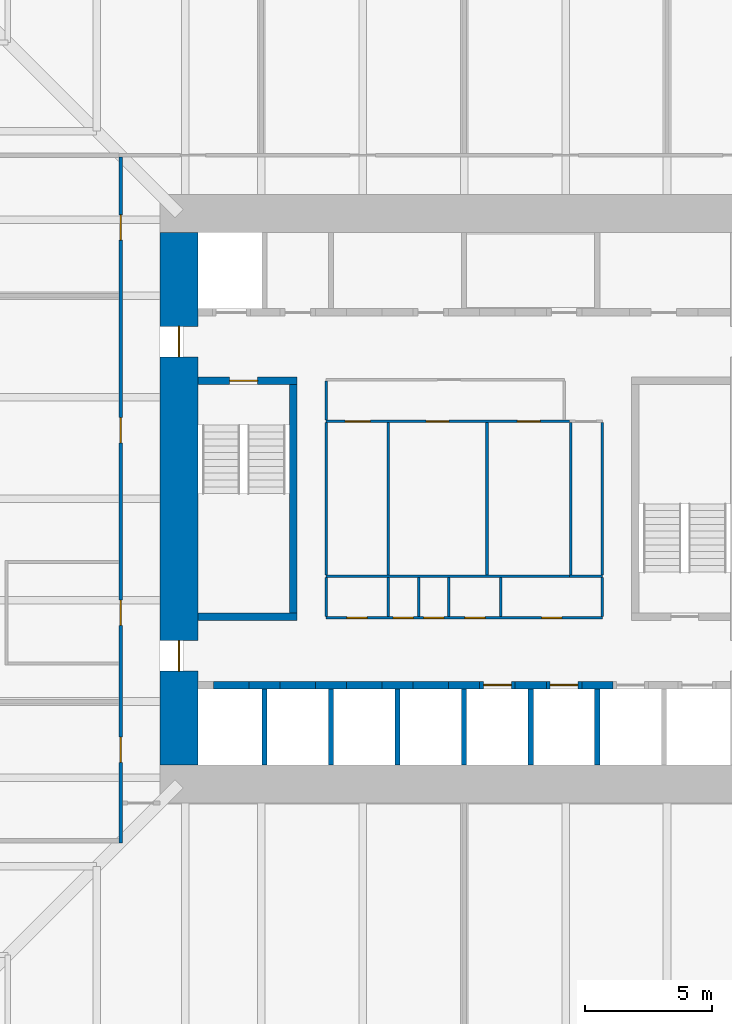
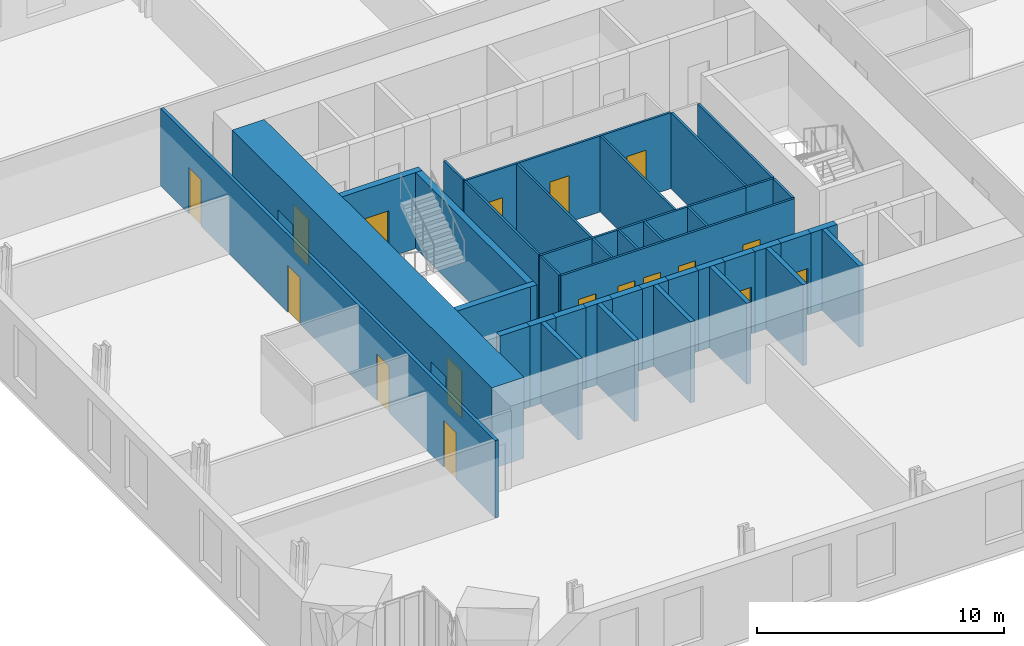
# One storey, part 14 of 18: 39 walls, 17 doors, 17 openings.
"""IFC4 building model written with IfcOpenShell, lengths in metres."""

from ifc_helpers import new_model, si_unit, direction, frame, frame_2d, origin, place, context, subcontext, project, spatial, rectangle, extrude, material, layer, layer_set, type_object, element, fill, save


model = new_model("IFC4")

# Units and contexts
model_context = context("Model", 3, precision=1e-05, world=origin(), true_north=direction((0.0, 1.0)))
body_context = subcontext(model_context, "Body", "Model", "MODEL_VIEW")
ifc_project = project(units=[si_unit("LENGTHUNIT", "METRE"), si_unit("AREAUNIT", "SQUARE_METRE"), si_unit("VOLUMEUNIT", "CUBIC_METRE"), si_unit("PLANEANGLEUNIT", "RADIAN"), si_unit("MASSUNIT", "GRAM", prefix="KILO")], contexts=[model_context])

# Site, building, storey
site_placement = place(None, origin())
site = spatial("IfcSite", under=ifc_project, at=site_placement, CompositionType="ELEMENT")
building_placement = place(site_placement, origin())
building = spatial("IfcBuilding", under=site, at=building_placement, Name="Peilmerk Tower", CompositionType="ELEMENT")
storey_placement = place(building_placement, frame((0.0, 0.0, 163.800048828125)))
storey = spatial("IfcBuildingStorey", under=building, at=storey_placement, Name="L34", CompositionType="ELEMENT", Elevation=163.800048828125)

# Wall, openings, doors
ifc_material_1 = material(Name="Calcium silicate block", Category="masonry")
ifc_layer_1 = layer(ifc_material_1, 0.14990234375)
ifc_layer_set_1 = layer_set([ifc_layer_1], Name="Calcium silicate block")
wall_type_1 = type_object("IfcWallType", Name="IW1 150 corridor partition, EI 60", PredefinedType="PARTITIONING", material=ifc_layer_set_1)
wall_1_placement = place(storey_placement, frame((-13.550048828125, 13.47509765625, 0.0), z_axis=(0.0, 0.0, 1.0), x_axis=(0.0, -1.0, 0.0)))
wall_1 = element("IfcWall", 1, at=wall_1_placement, inside=storey, type_object=wall_type_1, Name="Corridor wall W L34", PredefinedType="PARTITIONING", context=body_context, shape_type="SweptSolid", body=[
    extrude(rectangle(XDim=27.050048828125, YDim=0.14990234375, at=frame_2d((13.52490234375, 0.0))), origin(), (0.0, 0.0, 1.0), 3.829833984375),
])
opening_1_placement = place(wall_1_placement, frame((22.875, 0.0, 0.0)))
opening_1 = element("IfcOpeningElement", 2, at=opening_1_placement, cuts=wall_1, Name="Opening D1", PredefinedType="OPENING", context=body_context, shape_type="SweptSolid", body=[
    extrude(rectangle(XDim=1.0, YDim=2.300048828125, at=frame_2d((0.5, 1.14990234375))), frame((0.0, 0.0849609375, 0.0), z_axis=(0.0, -1.0, 0.0), x_axis=(1.0, 0.0, 0.0)), (0.0, 0.0, 1.0), 0.169921875),
])
opening_2_placement = place(wall_1_placement, frame((10.27490234375, 0.0, 0.0)))
opening_2 = element("IfcOpeningElement", 3, at=opening_2_placement, cuts=wall_1, Name="Opening D1", PredefinedType="OPENING", context=body_context, shape_type="SweptSolid", body=[
    extrude(rectangle(XDim=1.0, YDim=2.300048828125, at=frame_2d((0.5, 1.14990234375))), frame((0.0, 0.0849609375, 0.0), z_axis=(0.0, -1.0, 0.0), x_axis=(1.0, 0.0, 0.0)), (0.0, 0.0, 1.0), 0.169921875),
])
opening_3_placement = place(wall_1_placement, frame((2.27490234375, 0.0, 0.0)))
opening_3 = element("IfcOpeningElement", 4, at=opening_3_placement, cuts=wall_1, Name="Opening D1", PredefinedType="OPENING", context=body_context, shape_type="SweptSolid", body=[
    extrude(rectangle(XDim=1.0, YDim=2.300048828125, at=frame_2d((0.5, 1.14990234375))), frame((0.0, 0.0849609375, 0.0), z_axis=(0.0, -1.0, 0.0), x_axis=(1.0, 0.0, 0.0)), (0.0, 0.0, 1.0), 0.169921875),
])
opening_4_placement = place(wall_1_placement, frame((17.47509765625, 0.0, 0.0)))
opening_4 = element("IfcOpeningElement", 5, at=opening_4_placement, cuts=wall_1, Name="Opening D1", PredefinedType="OPENING", context=body_context, shape_type="SweptSolid", body=[
    extrude(rectangle(XDim=1.0, YDim=2.300048828125, at=frame_2d((0.5, 1.14990234375))), frame((0.0, 0.0849609375, 0.0), z_axis=(0.0, -1.0, 0.0), x_axis=(1.0, 0.0, 0.0)), (0.0, 0.0, 1.0), 0.169921875),
])
ifc_material_2 = material(Name="Timber door in steel frame", Category="steel")
door_type_1 = type_object("IfcDoorType", Name="D1 1000x2300 room door, EI2 30", OperationType="SINGLE_SWING_LEFT", PredefinedType="DOOR", material=ifc_material_2)
door_1_placement = place(opening_1_placement, frame((1.0, 0.0, 0.0), z_axis=(0.0, 0.0, 1.0), x_axis=(-1.0, 0.0, 0.0)))
door_1 = element("IfcDoor", 6, at=door_1_placement, inside=storey, type_object=door_type_1, Name="Door Office L34", OperationType="SINGLE_SWING_LEFT", OverallHeight=2.300048828125, OverallWidth=1.0, PredefinedType="DOOR", context=body_context, shape_type="SweptSolid", body=[
    extrude(rectangle(XDim=1.0, YDim=2.300048828125, at=frame_2d((0.5, 1.14990234375))), frame((0.0, 0.02490234375, 0.0), z_axis=(0.0, -1.0, 0.0), x_axis=(1.0, 0.0, 0.0)), (0.0, 0.0, 1.0), 0.050048828125),
])
fill(opening_1, door_1)
door_2_placement = place(opening_2_placement, frame((1.0, 0.0, 0.0), z_axis=(0.0, 0.0, 1.0), x_axis=(-1.0, 0.0, 0.0)))
door_2 = element("IfcDoor", 7, at=door_2_placement, inside=storey, type_object=door_type_1, Name="Door Office L34", OperationType="SINGLE_SWING_LEFT", OverallHeight=2.300048828125, OverallWidth=1.0, PredefinedType="DOOR", context=body_context, shape_type="SweptSolid", body=[
    extrude(rectangle(XDim=1.0, YDim=2.300048828125, at=frame_2d((0.5, 1.14990234375))), frame((0.0, 0.02490234375, 0.0), z_axis=(0.0, -1.0, 0.0), x_axis=(1.0, 0.0, 0.0)), (0.0, 0.0, 1.0), 0.050048828125),
])
fill(opening_2, door_2)
door_3_placement = place(opening_3_placement, frame((1.0, 0.0, 0.0), z_axis=(0.0, 0.0, 1.0), x_axis=(-1.0, 0.0, 0.0)))
door_3 = element("IfcDoor", 8, at=door_3_placement, inside=storey, type_object=door_type_1, Name="Door Office L34", OperationType="SINGLE_SWING_LEFT", OverallHeight=2.300048828125, OverallWidth=1.0, PredefinedType="DOOR", context=body_context, shape_type="SweptSolid", body=[
    extrude(rectangle(XDim=1.0, YDim=2.300048828125, at=frame_2d((0.5, 1.14990234375))), frame((0.0, 0.02490234375, 0.0), z_axis=(0.0, -1.0, 0.0), x_axis=(1.0, 0.0, 0.0)), (0.0, 0.0, 1.0), 0.050048828125),
])
fill(opening_3, door_3)
door_4_placement = place(opening_4_placement, frame((1.0, 0.0, 0.0), z_axis=(0.0, 0.0, 1.0), x_axis=(-1.0, 0.0, 0.0)))
door_4 = element("IfcDoor", 9, at=door_4_placement, inside=storey, type_object=door_type_1, Name="Door Meeting room L34", OperationType="SINGLE_SWING_LEFT", OverallHeight=2.300048828125, OverallWidth=1.0, PredefinedType="DOOR", context=body_context, shape_type="SweptSolid", body=[
    extrude(rectangle(XDim=1.0, YDim=2.300048828125, at=frame_2d((0.5, 1.14990234375))), frame((0.0, 0.02490234375, 0.0), z_axis=(0.0, -1.0, 0.0), x_axis=(1.0, 0.0, 0.0)), (0.0, 0.0, 1.0), 0.050048828125),
])
fill(opening_4, door_4)

# Wall
ifc_material_3 = material(Name="Concrete C35/45", Category="concrete")
ifc_layer_2 = layer(ifc_material_3, 0.300048828125)
ifc_layer_set_2 = layer_set([ifc_layer_2], Name="Concrete C35/45")
wall_type_2 = type_object("IfcWallType", Name="IW3 300 concrete stair enclosure wall, EI 120", PredefinedType="SOLIDWALL", material=ifc_layer_set_2)
wall_2_placement = place(storey_placement, frame((-6.75, -4.800048828125, 0.0), z_axis=(0.0, 0.0, 1.0), x_axis=(0.0, 1.0, 0.0)))
element("IfcWall", 10, at=wall_2_placement, inside=storey, type_object=wall_type_2, Name="Stair 1 enclosure L34", PredefinedType="SOLIDWALL", context=body_context, shape_type="SweptSolid", body=[
    extrude(rectangle(XDim=9.60009765625, YDim=0.300048828125, at=frame_2d((4.800048828125, 0.0))), origin(), (0.0, 0.0, 1.0), 3.75),
])

# Wall, opening, door
wall_3_placement = place(storey_placement, frame((-10.5, 4.64990234375, 0.0), z_axis=(0.0, 0.0, 1.0), x_axis=(1.0, 0.0, 0.0)))
wall_3 = element("IfcWall", 11, at=wall_3_placement, inside=storey, type_object=wall_type_2, Name="Stair 1 enclosure L34", PredefinedType="SOLIDWALL", context=body_context, shape_type="SweptSolid", body=[
    extrude(rectangle(XDim=3.89990234375, YDim=0.300048828125, at=frame_2d((1.949951171875, 0.0))), origin(), (0.0, 0.0, 1.0), 3.75),
])
opening_5_placement = place(wall_3_placement, frame((1.25, 0.0, 0.0)))
opening_5 = element("IfcOpeningElement", 12, at=opening_5_placement, cuts=wall_3, Name="Opening D4", PredefinedType="OPENING", context=body_context, shape_type="SweptSolid", body=[
    extrude(rectangle(XDim=1.10009765625, YDim=2.300048828125, at=frame_2d((0.550048828125, 1.14990234375))), frame((0.0, 0.159912109375, 0.0), z_axis=(0.0, -1.0, 0.0), x_axis=(1.0, 0.0, 0.0)), (0.0, 0.0, 1.0), 0.320068359375),
])
ifc_material_4 = material(Name="Steel door in steel frame", Category="steel")
door_type_2 = type_object("IfcDoorType", Name="D4 1100x2300 stair door, EI2 60", OperationType="SINGLE_SWING_RIGHT", PredefinedType="DOOR", material=ifc_material_4)
door_5_placement = place(opening_5_placement, frame((1.10009765625, 0.0, 0.0), z_axis=(0.0, 0.0, 1.0), x_axis=(-1.0, 0.0, 0.0)))
door_5 = element("IfcDoor", 13, at=door_5_placement, inside=storey, type_object=door_type_2, Name="Stair 1 door L34", OperationType="SINGLE_SWING_RIGHT", OverallHeight=2.300048828125, OverallWidth=1.10009765625, PredefinedType="DOOR", context=body_context, shape_type="SweptSolid", body=[
    extrude(rectangle(XDim=1.10009765625, YDim=2.300048828125, at=frame_2d((0.550048828125, 1.14990234375))), frame((0.0, 0.02490234375, 0.0), z_axis=(0.0, -1.0, 0.0), x_axis=(1.0, 0.0, 0.0)), (0.0, 0.0, 1.0), 0.050048828125),
])
fill(opening_5, door_5)

# Wall
wall_4_placement = place(storey_placement, frame((-6.60009765625, -4.64990234375, 0.0), z_axis=(0.0, 0.0, 1.0), x_axis=(-1.0, 0.0, 0.0)))
element("IfcWall", 14, at=wall_4_placement, inside=storey, type_object=wall_type_2, Name="Stair 1 enclosure L34", PredefinedType="SOLIDWALL", context=body_context, shape_type="SweptSolid", body=[
    extrude(rectangle(XDim=3.89990234375, YDim=0.300048828125, at=frame_2d((1.949951171875, 0.0))), origin(), (0.0, 0.0, 1.0), 3.75),
])

# Wall, openings, doors
ifc_material_5 = material(Name="Plasterboard on steel studs", Category="steel")
ifc_layer_3 = layer(ifc_material_5, 0.10009765625)
ifc_layer_set_3 = layer_set([ifc_layer_3], Name="Plasterboard on steel studs")
wall_type_3 = type_object("IfcWallType", Name="IW4 100 WC partition", PredefinedType="PARTITIONING", material=ifc_layer_set_3)
wall_5_placement = place(storey_placement, frame((-5.449951171875, 3.050048828125, 0.0), z_axis=(0.0, 0.0, 1.0), x_axis=(1.0, 0.0, 0.0)))
wall_5 = element("IfcWall", 15, at=wall_5_placement, inside=storey, type_object=wall_type_3, Name="WC wall L34", PredefinedType="PARTITIONING", context=body_context, shape_type="SweptSolid", body=[
    extrude(rectangle(XDim=9.599853515625, YDim=0.10009765625, at=frame_2d((4.7998046875, 0.0))), origin(), (0.0, 0.0, 1.0), 3.75),
])
opening_6_placement = place(wall_5_placement, frame((0.75, 0.0, 0.0)))
opening_6 = element("IfcOpeningElement", 16, at=opening_6_placement, cuts=wall_5, Name="Opening D6", PredefinedType="OPENING", context=body_context, shape_type="SweptSolid", body=[
    extrude(rectangle(XDim=1.0, YDim=2.300048828125, at=frame_2d((0.5, 1.14990234375))), frame((0.0, 0.06005859375, 0.0), z_axis=(0.0, -1.0, 0.0), x_axis=(1.0, 0.0, 0.0)), (0.0, 0.0, 1.0), 0.1201171875),
])
opening_7_placement = place(wall_5_placement, frame((3.949951171875, 0.0, 0.0)))
opening_7 = element("IfcOpeningElement", 17, at=opening_7_placement, cuts=wall_5, Name="Opening D5", PredefinedType="OPENING", context=body_context, shape_type="SweptSolid", body=[
    extrude(rectangle(XDim=0.89990234375, YDim=2.300048828125, at=frame_2d((0.449951171875, 1.14990234375))), frame((0.0, 0.06005859375, 0.0), z_axis=(0.0, -1.0, 0.0), x_axis=(1.0, 0.0, 0.0)), (0.0, 0.0, 1.0), 0.1201171875),
])
opening_8_placement = place(wall_5_placement, frame((7.550048828125, 0.0, 0.0)))
opening_8 = element("IfcOpeningElement", 18, at=opening_8_placement, cuts=wall_5, Name="Opening D5", PredefinedType="OPENING", context=body_context, shape_type="SweptSolid", body=[
    extrude(rectangle(XDim=0.89990234375, YDim=2.300048828125, at=frame_2d((0.449951171875, 1.14990234375))), frame((0.0, 0.06005859375, 0.0), z_axis=(0.0, -1.0, 0.0), x_axis=(1.0, 0.0, 0.0)), (0.0, 0.0, 1.0), 0.1201171875),
])
door_type_3 = type_object("IfcDoorType", Name="D5 900x2300 WC door", OperationType="SINGLE_SWING_LEFT", PredefinedType="DOOR", material=ifc_material_2)
door_6_placement = place(opening_7_placement, frame((0.89990234375, 0.0, 0.0), z_axis=(0.0, 0.0, 1.0), x_axis=(-1.0, 0.0, 0.0)))
door_6 = element("IfcDoor", 19, at=door_6_placement, inside=storey, type_object=door_type_3, Name="Female toilets door L34", OperationType="SINGLE_SWING_LEFT", OverallHeight=2.300048828125, OverallWidth=0.89990234375, PredefinedType="DOOR", context=body_context, shape_type="SweptSolid", body=[
    extrude(rectangle(XDim=0.89990234375, YDim=2.300048828125, at=frame_2d((0.449951171875, 1.14990234375))), frame((0.0, 0.02490234375, 0.0), z_axis=(0.0, -1.0, 0.0), x_axis=(1.0, 0.0, 0.0)), (0.0, 0.0, 1.0), 0.050048828125),
])
fill(opening_7, door_6)
door_7_placement = place(opening_8_placement, frame((0.89990234375, 0.0, 0.0), z_axis=(0.0, 0.0, 1.0), x_axis=(-1.0, 0.0, 0.0)))
door_7 = element("IfcDoor", 20, at=door_7_placement, inside=storey, type_object=door_type_3, Name="Male toilets door L34", OperationType="SINGLE_SWING_LEFT", OverallHeight=2.300048828125, OverallWidth=0.89990234375, PredefinedType="DOOR", context=body_context, shape_type="SweptSolid", body=[
    extrude(rectangle(XDim=0.89990234375, YDim=2.300048828125, at=frame_2d((0.449951171875, 1.14990234375))), frame((0.0, 0.02490234375, 0.0), z_axis=(0.0, -1.0, 0.0), x_axis=(1.0, 0.0, 0.0)), (0.0, 0.0, 1.0), 0.050048828125),
])
fill(opening_8, door_7)
door_type_4 = type_object("IfcDoorType", Name="D6 1000x2300 accessible WC door", OperationType="SLIDING_TO_LEFT", PredefinedType="DOOR", material=ifc_material_2)
door_8_placement = place(opening_6_placement, frame((1.0, 0.0, 0.0), z_axis=(0.0, 0.0, 1.0), x_axis=(-1.0, 0.0, 0.0)))
door_8 = element("IfcDoor", 21, at=door_8_placement, inside=storey, type_object=door_type_4, Name="Accessible WC door L34", OperationType="SLIDING_TO_LEFT", OverallHeight=2.300048828125, OverallWidth=1.0, PredefinedType="DOOR", context=body_context, shape_type="SweptSolid", body=[
    extrude(rectangle(XDim=1.0, YDim=2.300048828125, at=frame_2d((0.5, 1.14990234375))), frame((0.0, 0.02490234375, 0.0), z_axis=(0.0, -1.0, 0.0), x_axis=(1.0, 0.0, 0.0)), (0.0, 0.0, 1.0), 0.050048828125),
])
fill(opening_6, door_8)

# Walls
wall_6_placement = place(storey_placement, frame((4.14990234375, -3.050048828125, 0.0), z_axis=(0.0, 0.0, 1.0), x_axis=(-1.0, 0.0, 0.0)))
element("IfcWall", 22, at=wall_6_placement, inside=storey, type_object=wall_type_3, Name="WC wall L34", PredefinedType="PARTITIONING", context=body_context, shape_type="SweptSolid", body=[
    extrude(rectangle(XDim=9.599853515625, YDim=0.10009765625, at=frame_2d((4.7998046875, 0.0))), origin(), (0.0, 0.0, 1.0), 3.75),
])
for number, where, z_axis, x_axis, name in (
    (23, (-5.449951171875, -3.0, 0.0), (0.0, 0.0, 1.0), (0.0, 1.0, 0.0), "WC wall L34"),
    (24, (-3.0, -3.0, 0.0), (0.0, 0.0, 1.0), (0.0, 1.0, 0.0), "WC wall L34"),
    (25, (0.89990234375, -3.0, 0.0), (0.0, 0.0, 1.0), (0.0, 1.0, 0.0), "WC wall L34"),
):
    element("IfcWall", number, at=place(storey_placement, frame(where, z_axis=z_axis, x_axis=x_axis)), inside=storey, type_object=wall_type_3, Name=name, PredefinedType="PARTITIONING", context=body_context, shape_type="SweptSolid", body=[
        extrude(rectangle(XDim=6.0, YDim=0.10009765625, at=frame_2d((3.0, 0.0))), origin(), (0.0, 0.0, 1.0), 3.75),
    ])
ifc_material_6 = material(Name="Calcium silicate board on steel studs", Category="steel")
ifc_layer_4 = layer(ifc_material_6, 0.10009765625)
ifc_layer_set_4 = layer_set([ifc_layer_4], Name="Calcium silicate board on steel studs")
wall_type_4 = type_object("IfcWallType", Name="IW5 100 riser enclosure wall, EI 60", PredefinedType="PARTITIONING", material=ifc_layer_set_4)
wall_7_placement = place(storey_placement, frame((5.449951171875, -3.050048828125, 0.0), z_axis=(0.0, 0.0, 1.0), x_axis=(-1.0, 0.0, 0.0)))
element("IfcWall", 26, at=wall_7_placement, inside=storey, type_object=wall_type_4, Name="Riser wall L34", PredefinedType="PARTITIONING", context=body_context, shape_type="SweptSolid", body=[
    extrude(rectangle(XDim=1.300048828125, YDim=0.10009765625, at=frame_2d((0.64990234375, 0.0))), origin(), (0.0, 0.0, 1.0), 3.75),
])
for number, where, z_axis, x_axis, name in (
    (27, (5.449951171875, 3.0, 0.0), (0.0, 0.0, 1.0), (0.0, -1.0, 0.0), "Riser wall L34"),
    (28, (4.199951171875, -3.0, 0.0), (0.0, 0.0, 1.0), (0.0, 1.0, 0.0), "Riser wall L34"),
):
    element("IfcWall", number, at=place(storey_placement, frame(where, z_axis=z_axis, x_axis=x_axis)), inside=storey, type_object=wall_type_4, Name=name, PredefinedType="PARTITIONING", context=body_context, shape_type="SweptSolid", body=[
        extrude(rectangle(XDim=6.0, YDim=0.10009765625, at=frame_2d((3.0, 0.0))), origin(), (0.0, 0.0, 1.0), 3.75),
    ])

# Wall, openings, doors
wall_8_placement = place(storey_placement, frame((5.449951171875, -4.699951171875, 0.0), z_axis=(0.0, 0.0, 1.0), x_axis=(-1.0, 0.0, 0.0)))
wall_8 = element("IfcWall", 29, at=wall_8_placement, inside=storey, type_object=wall_type_4, Name="Riser wall L34", PredefinedType="PARTITIONING", context=body_context, shape_type="SweptSolid", body=[
    extrude(rectangle(XDim=10.89990234375, YDim=0.10009765625, at=frame_2d((5.449951171875, 0.0))), origin(), (0.0, 0.0, 1.0), 3.75),
])
opening_9_placement = place(wall_8_placement, frame((9.27490234375, 0.0, 0.0)))
opening_9 = element("IfcOpeningElement", 30, at=opening_9_placement, cuts=wall_8, Name="Opening D7", PredefinedType="OPENING", context=body_context, shape_type="SweptSolid", body=[
    extrude(rectangle(XDim=0.800048828125, YDim=2.300048828125, at=frame_2d((0.39990234375, 1.14990234375))), frame((0.0, 0.06005859375, 0.0), z_axis=(0.0, -1.0, 0.0), x_axis=(1.0, 0.0, 0.0)), (0.0, 0.0, 1.0), 0.1201171875),
])
opening_10_placement = place(wall_8_placement, frame((7.449951171875, 0.0, 0.0)))
opening_10 = element("IfcOpeningElement", 31, at=opening_10_placement, cuts=wall_8, Name="Opening D7", PredefinedType="OPENING", context=body_context, shape_type="SweptSolid", body=[
    extrude(rectangle(XDim=0.800048828125, YDim=2.300048828125, at=frame_2d((0.39990234375, 1.14990234375))), frame((0.0, 0.06005859375, 0.0), z_axis=(0.0, -1.0, 0.0), x_axis=(1.0, 0.0, 0.0)), (0.0, 0.0, 1.0), 0.1201171875),
])
opening_11_placement = place(wall_8_placement, frame((6.25, 0.0, 0.0)))
opening_11 = element("IfcOpeningElement", 32, at=opening_11_placement, cuts=wall_8, Name="Opening D7", PredefinedType="OPENING", context=body_context, shape_type="SweptSolid", body=[
    extrude(rectangle(XDim=0.800048828125, YDim=2.300048828125, at=frame_2d((0.39990234375, 1.14990234375))), frame((0.0, 0.06005859375, 0.0), z_axis=(0.0, -1.0, 0.0), x_axis=(1.0, 0.0, 0.0)), (0.0, 0.0, 1.0), 0.1201171875),
])
opening_12_placement = place(wall_8_placement, frame((4.625, 0.0, 0.0)))
opening_12 = element("IfcOpeningElement", 33, at=opening_12_placement, cuts=wall_8, Name="Opening D7", PredefinedType="OPENING", context=body_context, shape_type="SweptSolid", body=[
    extrude(rectangle(XDim=0.800048828125, YDim=2.300048828125, at=frame_2d((0.39990234375, 1.14990234375))), frame((0.0, 0.06005859375, 0.0), z_axis=(0.0, -1.0, 0.0), x_axis=(1.0, 0.0, 0.0)), (0.0, 0.0, 1.0), 0.1201171875),
])
opening_13_placement = place(wall_8_placement, frame((1.60009765625, 0.0, 0.0)))
opening_13 = element("IfcOpeningElement", 34, at=opening_13_placement, cuts=wall_8, Name="Opening D7", PredefinedType="OPENING", context=body_context, shape_type="SweptSolid", body=[
    extrude(rectangle(XDim=0.800048828125, YDim=2.300048828125, at=frame_2d((0.39990234375, 1.14990234375))), frame((0.0, 0.06005859375, 0.0), z_axis=(0.0, -1.0, 0.0), x_axis=(1.0, 0.0, 0.0)), (0.0, 0.0, 1.0), 0.1201171875),
])
door_type_5 = type_object("IfcDoorType", Name="D7 800x2300 riser access door, EI2 60", OperationType="SINGLE_SWING_RIGHT", PredefinedType="DOOR", material=ifc_material_4)
door_9_placement = place(opening_9_placement, frame((0.800048828125, 0.0, 0.0), z_axis=(0.0, 0.0, 1.0), x_axis=(-1.0, 0.0, 0.0)))
door_9 = element("IfcDoor", 35, at=door_9_placement, inside=storey, type_object=door_type_5, Name="Cleaner's cupboard door L34", OperationType="SINGLE_SWING_RIGHT", OverallHeight=2.300048828125, OverallWidth=0.800048828125, PredefinedType="DOOR", context=body_context, shape_type="SweptSolid", body=[
    extrude(rectangle(XDim=0.800048828125, YDim=2.300048828125, at=frame_2d((0.39990234375, 1.14990234375))), frame((0.0, 0.02490234375, 0.0), z_axis=(0.0, -1.0, 0.0), x_axis=(1.0, 0.0, 0.0)), (0.0, 0.0, 1.0), 0.050048828125),
])
fill(opening_9, door_9)
door_10_placement = place(opening_10_placement, frame((0.800048828125, 0.0, 0.0), z_axis=(0.0, 0.0, 1.0), x_axis=(-1.0, 0.0, 0.0)))
door_10 = element("IfcDoor", 36, at=door_10_placement, inside=storey, type_object=door_type_5, Name="Electrical riser door L34", OperationType="SINGLE_SWING_RIGHT", OverallHeight=2.300048828125, OverallWidth=0.800048828125, PredefinedType="DOOR", context=body_context, shape_type="SweptSolid", body=[
    extrude(rectangle(XDim=0.800048828125, YDim=2.300048828125, at=frame_2d((0.39990234375, 1.14990234375))), frame((0.0, 0.02490234375, 0.0), z_axis=(0.0, -1.0, 0.0), x_axis=(1.0, 0.0, 0.0)), (0.0, 0.0, 1.0), 0.050048828125),
])
fill(opening_10, door_10)
door_11_placement = place(opening_11_placement, frame((0.800048828125, 0.0, 0.0), z_axis=(0.0, 0.0, 1.0), x_axis=(-1.0, 0.0, 0.0)))
door_11 = element("IfcDoor", 37, at=door_11_placement, inside=storey, type_object=door_type_5, Name="Data riser door L34", OperationType="SINGLE_SWING_RIGHT", OverallHeight=2.300048828125, OverallWidth=0.800048828125, PredefinedType="DOOR", context=body_context, shape_type="SweptSolid", body=[
    extrude(rectangle(XDim=0.800048828125, YDim=2.300048828125, at=frame_2d((0.39990234375, 1.14990234375))), frame((0.0, 0.02490234375, 0.0), z_axis=(0.0, -1.0, 0.0), x_axis=(1.0, 0.0, 0.0)), (0.0, 0.0, 1.0), 0.050048828125),
])
fill(opening_11, door_11)
door_12_placement = place(opening_12_placement, frame((0.800048828125, 0.0, 0.0), z_axis=(0.0, 0.0, 1.0), x_axis=(-1.0, 0.0, 0.0)))
door_12 = element("IfcDoor", 38, at=door_12_placement, inside=storey, type_object=door_type_5, Name="Electrical room door L34", OperationType="SINGLE_SWING_RIGHT", OverallHeight=2.300048828125, OverallWidth=0.800048828125, PredefinedType="DOOR", context=body_context, shape_type="SweptSolid", body=[
    extrude(rectangle(XDim=0.800048828125, YDim=2.300048828125, at=frame_2d((0.39990234375, 1.14990234375))), frame((0.0, 0.02490234375, 0.0), z_axis=(0.0, -1.0, 0.0), x_axis=(1.0, 0.0, 0.0)), (0.0, 0.0, 1.0), 0.050048828125),
])
fill(opening_12, door_12)
door_13_placement = place(opening_13_placement, frame((0.800048828125, 0.0, 0.0), z_axis=(0.0, 0.0, 1.0), x_axis=(-1.0, 0.0, 0.0)))
door_13 = element("IfcDoor", 39, at=door_13_placement, inside=storey, type_object=door_type_5, Name="Comms room door L34", OperationType="SINGLE_SWING_RIGHT", OverallHeight=2.300048828125, OverallWidth=0.800048828125, PredefinedType="DOOR", context=body_context, shape_type="SweptSolid", body=[
    extrude(rectangle(XDim=0.800048828125, YDim=2.300048828125, at=frame_2d((0.39990234375, 1.14990234375))), frame((0.0, 0.02490234375, 0.0), z_axis=(0.0, -1.0, 0.0), x_axis=(1.0, 0.0, 0.0)), (0.0, 0.0, 1.0), 0.050048828125),
])
fill(opening_13, door_13)

# Walls
for number, where, z_axis, x_axis, name in (
    (40, (-5.449951171875, -3.10009765625, 0.0), (0.0, 0.0, 1.0), (0.0, -1.0, 0.0), "Riser wall L34"),
    (41, (5.449951171875, -3.10009765625, 0.0), (0.0, 0.0, 1.0), (0.0, -1.0, 0.0), "Riser wall L34"),
    (42, (-3.0, -3.10009765625, 0.0), (0.0, 0.0, 1.0), (0.0, -1.0, 0.0), "Riser wall L34"),
    (43, (-1.800048828125, -3.10009765625, 0.0), (0.0, 0.0, 1.0), (0.0, -1.0, 0.0), "Riser wall L34"),
    (44, (-0.60009765625, -3.10009765625, 0.0), (0.0, 0.0, 1.0), (0.0, -1.0, 0.0), "Riser wall L34"),
    (45, (1.449951171875, -3.10009765625, 0.0), (0.0, 0.0, 1.0), (0.0, -1.0, 0.0), "Riser wall L34"),
):
    element("IfcWall", number, at=place(storey_placement, frame(where, z_axis=z_axis, x_axis=x_axis)), inside=storey, type_object=wall_type_4, Name=name, PredefinedType="PARTITIONING", context=body_context, shape_type="SweptSolid", body=[
        extrude(rectangle(XDim=1.5498046875, YDim=0.10009765625, at=frame_2d((0.77490234375, 0.0))), origin(), (0.0, 0.0, 1.0), 3.75),
    ])
ifc_material_7 = material(Name="Fire-resisting plasterboard on steel studs", Category="steel")
ifc_layer_5 = layer(ifc_material_7, 0.10009765625)
ifc_layer_set_5 = layer_set([ifc_layer_5], Name="Fire-resisting plasterboard on steel studs")
wall_type_5 = type_object("IfcWallType", Name="IW9 100 WC lobby wall, EI 30", PredefinedType="PARTITIONING", material=ifc_layer_set_5)
wall_9_placement = place(storey_placement, frame((-5.449951171875, 3.10009765625, 0.0), z_axis=(0.0, 0.0, 1.0), x_axis=(0.0, 1.0, 0.0)))
element("IfcWall", 46, at=wall_9_placement, inside=storey, type_object=wall_type_5, Name="WC lobby wall L34", PredefinedType="PARTITIONING", context=body_context, shape_type="SweptSolid", body=[
    extrude(rectangle(XDim=1.5498046875, YDim=0.10009765625, at=frame_2d((0.77490234375, 0.0))), origin(), (0.0, 0.0, 1.0), 3.75),
])
ifc_layer_6 = layer(ifc_material_1, 0.199951171875)
ifc_layer_set_6 = layer_set([ifc_layer_6], Name="Calcium silicate block")
wall_type_6 = type_object("IfcWallType", Name="SH1 200 shaft dividing wall, EI 120", PredefinedType="PARTITIONING", material=ifc_layer_set_6)
for number, where, z_axis, x_axis, name in (
    (47, (-7.875, -10.5, 0.0), (0.0, 0.0, 1.0), (0.0, 1.0, 0.0), "Shaft wall S C4 L34"),
    (48, (-5.25, -10.5, 0.0), (0.0, 0.0, 1.0), (0.0, 1.0, 0.0), "Shaft wall S C3 L34"),
    (49, (-2.625, -10.5, 0.0), (0.0, 0.0, 1.0), (0.0, 1.0, 0.0), "Shaft wall S C2 L34"),
    (50, (0.0, -10.5, 0.0), (0.0, 0.0, 1.0), (0.0, 1.0, 0.0), "Shaft wall S C1 L34"),
    (51, (2.625, -10.5, 0.0), (0.0, 0.0, 1.0), (0.0, 1.0, 0.0), "Shaft wall S B3 L34"),
    (52, (5.25, -10.5, 0.0), (0.0, 0.0, 1.0), (0.0, 1.0, 0.0), "Shaft wall S B2 L34"),
):
    element("IfcWall", number, at=place(storey_placement, frame(where, z_axis=z_axis, x_axis=x_axis)), inside=storey, type_object=wall_type_6, Name=name, PredefinedType="PARTITIONING", context=body_context, shape_type="SweptSolid", body=[
        extrude(rectangle(XDim=3.0, YDim=0.199951171875, at=frame_2d((1.5, 0.0))), origin(), (0.0, 0.0, 1.0), 4.0),
    ])
ifc_layer_7 = layer(ifc_material_1, 0.300048828125)
ifc_layer_set_7 = layer_set([ifc_layer_7], Name="Calcium silicate block")
wall_type_7 = type_object("IfcWallType", Name="SH2 300 lift landing door panel, EI 120", PredefinedType="PARTITIONING", material=ifc_layer_set_7)
for number, where, z_axis, x_axis, name in (
    (53, (-9.887451171875, -7.35009765625, 0.0), (0.0, 0.0, 1.0), (1.0, 0.0, 0.0), "Lift door panel S C4 L34"),
    (54, (-7.262451171875, -7.35009765625, 0.0), (0.0, 0.0, 1.0), (1.0, 0.0, 0.0), "Lift door panel S C3 L34"),
    (55, (-4.637451171875, -7.35009765625, 0.0), (0.0, 0.0, 1.0), (1.0, 0.0, 0.0), "Lift door panel S C2 L34"),
    (56, (-2.012451171875, -7.35009765625, 0.0), (0.0, 0.0, 1.0), (1.0, 0.0, 0.0), "Lift door panel S C1 L34"),
):
    element("IfcWall", number, at=place(storey_placement, frame(where, z_axis=z_axis, x_axis=x_axis)), inside=storey, type_object=wall_type_7, Name=name, PredefinedType="PARTITIONING", context=body_context, shape_type="SweptSolid", body=[
        extrude(rectangle(XDim=1.39990234375, YDim=0.300048828125, at=frame_2d((0.699951171875, 0.0))), origin(), (0.0, 0.0, 1.0), 4.0),
    ])

# Wall, opening, door
wall_10_placement = place(storey_placement, frame((0.612548828125, -7.35009765625, 0.0), z_axis=(0.0, 0.0, 1.0), x_axis=(1.0, 0.0, 0.0)))
wall_10 = element("IfcWall", 57, at=wall_10_placement, inside=storey, type_object=wall_type_7, Name="Lift door panel S B3 L34", PredefinedType="PARTITIONING", context=body_context, shape_type="SweptSolid", body=[
    extrude(rectangle(XDim=1.39990234375, YDim=0.300048828125, at=frame_2d((0.699951171875, 0.0))), origin(), (0.0, 0.0, 1.0), 4.0),
])
opening_14_placement = place(wall_10_placement, frame((0.14990234375, 0.0, 0.0)))
opening_14 = element("IfcOpeningElement", 58, at=opening_14_placement, cuts=wall_10, Name="Opening LD1", PredefinedType="OPENING", context=body_context, shape_type="SweptSolid", body=[
    extrude(rectangle(XDim=1.10009765625, YDim=2.300048828125, at=frame_2d((0.550048828125, 1.14990234375))), frame((0.0, 0.159912109375, 0.0), z_axis=(0.0, -1.0, 0.0), x_axis=(1.0, 0.0, 0.0)), (0.0, 0.0, 1.0), 0.320068359375),
])
ifc_material_8 = material(Name="Stainless steel landing door", Category="steel")
door_type_6 = type_object("IfcDoorType", Name="LD1 1100x2300 lift landing door, sliding, EI2 60", OperationType="SLIDING_TO_LEFT", PredefinedType="DOOR", material=ifc_material_8)
door_14_placement = place(opening_14_placement, origin())
door_14 = element("IfcDoor", 59, at=door_14_placement, inside=storey, type_object=door_type_6, Name="Lift landing door B3 L34", OperationType="SLIDING_TO_LEFT", OverallHeight=2.300048828125, OverallWidth=1.10009765625, PredefinedType="DOOR", context=body_context, shape_type="SweptSolid", body=[
    extrude(rectangle(XDim=1.10009765625, YDim=2.300048828125, at=frame_2d((0.550048828125, 1.14990234375))), frame((0.0, 0.02490234375, 0.0), z_axis=(0.0, -1.0, 0.0), x_axis=(1.0, 0.0, 0.0)), (0.0, 0.0, 1.0), 0.050048828125),
])
fill(opening_14, door_14)

wall_11_placement = place(storey_placement, frame((3.237548828125, -7.35009765625, 0.0), z_axis=(0.0, 0.0, 1.0), x_axis=(1.0, 0.0, 0.0)))
wall_11 = element("IfcWall", 60, at=wall_11_placement, inside=storey, type_object=wall_type_7, Name="Lift door panel S B2 L34", PredefinedType="PARTITIONING", context=body_context, shape_type="SweptSolid", body=[
    extrude(rectangle(XDim=1.39990234375, YDim=0.300048828125, at=frame_2d((0.699951171875, 0.0))), origin(), (0.0, 0.0, 1.0), 4.0),
])
opening_15_placement = place(wall_11_placement, frame((0.14990234375, 0.0, 0.0)))
opening_15 = element("IfcOpeningElement", 61, at=opening_15_placement, cuts=wall_11, Name="Opening LD1", PredefinedType="OPENING", context=body_context, shape_type="SweptSolid", body=[
    extrude(rectangle(XDim=1.10009765625, YDim=2.300048828125, at=frame_2d((0.550048828125, 1.14990234375))), frame((0.0, 0.159912109375, 0.0), z_axis=(0.0, -1.0, 0.0), x_axis=(1.0, 0.0, 0.0)), (0.0, 0.0, 1.0), 0.320068359375),
])
door_15_placement = place(opening_15_placement, origin())
door_15 = element("IfcDoor", 62, at=door_15_placement, inside=storey, type_object=door_type_6, Name="Lift landing door B2 L34", OperationType="SLIDING_TO_LEFT", OverallHeight=2.300048828125, OverallWidth=1.10009765625, PredefinedType="DOOR", context=body_context, shape_type="SweptSolid", body=[
    extrude(rectangle(XDim=1.10009765625, YDim=2.300048828125, at=frame_2d((0.550048828125, 1.14990234375))), frame((0.0, 0.02490234375, 0.0), z_axis=(0.0, -1.0, 0.0), x_axis=(1.0, 0.0, 0.0)), (0.0, 0.0, 1.0), 0.050048828125),
])
fill(opening_15, door_15)

# Wall, openings, doors
ifc_material_9 = material(Name="Concrete C55/67", Category="concrete")
ifc_layer_8 = layer(ifc_material_9, 1.5)
ifc_layer_set_8 = layer_set([ifc_layer_8], Name="Concrete C55/67")
wall_type_8 = type_object("IfcWallType", Name="SW1 1500 core wall", PredefinedType="SHEAR", material=ifc_layer_set_8)
wall_12_placement = place(storey_placement, frame((-11.25, -10.5, 0.0), z_axis=(0.0, 0.0, 1.0), x_axis=(0.0, 1.0, 0.0)))
wall_12 = element("IfcWall", 63, at=wall_12_placement, inside=storey, type_object=wall_type_8, Name="Core wall W L34", PredefinedType="SHEAR", context=body_context, shape_type="SweptSolid", body=[
    extrude(rectangle(XDim=21.0, YDim=1.5, at=frame_2d((10.5, 0.0))), origin(), (0.0, 0.0, 1.0), 4.0),
])
opening_16_placement = place(wall_12_placement, frame((16.10009765625, 0.0, 0.0)))
opening_16 = element("IfcOpeningElement", 64, at=opening_16_placement, cuts=wall_12, Name="Opening D3", PredefinedType="OPENING", context=body_context, shape_type="SweptSolid", body=[
    extrude(rectangle(XDim=1.199951171875, YDim=2.300048828125, at=frame_2d((0.60009765625, 1.14990234375))), frame((0.0, 0.760009765625, 0.0), z_axis=(0.0, -1.0, 0.0), x_axis=(1.0, 0.0, 0.0)), (0.0, 0.0, 1.0), 1.52001953125),
])
opening_17_placement = place(wall_12_placement, frame((3.699951171875, 0.0, 0.0)))
opening_17 = element("IfcOpeningElement", 65, at=opening_17_placement, cuts=wall_12, Name="Opening D3", PredefinedType="OPENING", context=body_context, shape_type="SweptSolid", body=[
    extrude(rectangle(XDim=1.199951171875, YDim=2.300048828125, at=frame_2d((0.60009765625, 1.14990234375))), frame((0.0, 0.760009765625, 0.0), z_axis=(0.0, -1.0, 0.0), x_axis=(1.0, 0.0, 0.0)), (0.0, 0.0, 1.0), 1.52001953125),
])
door_type_7 = type_object("IfcDoorType", Name="D3 1200x2300 core door, EI2 60", OperationType="SINGLE_SWING_LEFT", PredefinedType="DOOR", material=ifc_material_4)
door_16_placement = place(opening_16_placement, frame((1.199951171875, 0.0, 0.0), z_axis=(0.0, 0.0, 1.0), x_axis=(-1.0, 0.0, 0.0)))
door_16 = element("IfcDoor", 66, at=door_16_placement, inside=storey, type_object=door_type_7, Name="Core door L34", OperationType="SINGLE_SWING_LEFT", OverallHeight=2.300048828125, OverallWidth=1.199951171875, PredefinedType="DOOR", context=body_context, shape_type="SweptSolid", body=[
    extrude(rectangle(XDim=1.199951171875, YDim=2.300048828125, at=frame_2d((0.60009765625, 1.14990234375))), frame((0.0, 0.02490234375, 0.0), z_axis=(0.0, -1.0, 0.0), x_axis=(1.0, 0.0, 0.0)), (0.0, 0.0, 1.0), 0.050048828125),
])
fill(opening_16, door_16)
door_17_placement = place(opening_17_placement, frame((1.199951171875, 0.0, 0.0), z_axis=(0.0, 0.0, 1.0), x_axis=(-1.0, 0.0, 0.0)))
door_17 = element("IfcDoor", 67, at=door_17_placement, inside=storey, type_object=door_type_7, Name="Core door L34", OperationType="SINGLE_SWING_LEFT", OverallHeight=2.300048828125, OverallWidth=1.199951171875, PredefinedType="DOOR", context=body_context, shape_type="SweptSolid", body=[
    extrude(rectangle(XDim=1.199951171875, YDim=2.300048828125, at=frame_2d((0.60009765625, 1.14990234375))), frame((0.0, 0.02490234375, 0.0), z_axis=(0.0, -1.0, 0.0), x_axis=(1.0, 0.0, 0.0)), (0.0, 0.0, 1.0), 0.050048828125),
])
fill(opening_17, door_17)

# Walls
ifc_layer_9 = layer(ifc_material_9, 0.300048828125)
ifc_layer_set_9 = layer_set([ifc_layer_9], Name="Concrete C55/67")
wall_type_9 = type_object("IfcWallType", Name="SW2 300 lift bank pier", PredefinedType="SHEAR", material=ifc_layer_set_9)
for number, where, z_axis, x_axis, name in (
    (68, (-8.487548828125, -7.35009765625, 0.0), (0.0, 0.0, 1.0), (1.0, 0.0, 0.0), "Lift bank pier S L34"),
    (69, (-5.862548828125, -7.35009765625, 0.0), (0.0, 0.0, 1.0), (1.0, 0.0, 0.0), "Lift bank pier S L34"),
    (70, (-3.237548828125, -7.35009765625, 0.0), (0.0, 0.0, 1.0), (1.0, 0.0, 0.0), "Lift bank pier S L34"),
    (71, (-0.612548828125, -7.35009765625, 0.0), (0.0, 0.0, 1.0), (1.0, 0.0, 0.0), "Lift bank pier S L34"),
    (72, (2.012451171875, -7.35009765625, 0.0), (0.0, 0.0, 1.0), (1.0, 0.0, 0.0), "Lift bank pier S L34"),
    (73, (4.637451171875, -7.35009765625, 0.0), (0.0, 0.0, 1.0), (1.0, 0.0, 0.0), "Lift bank pier S L34"),
):
    element("IfcWall", number, at=place(storey_placement, frame(where, z_axis=z_axis, x_axis=x_axis)), inside=storey, type_object=wall_type_9, Name=name, PredefinedType="SHEAR", context=body_context, shape_type="SweptSolid", body=[
        extrude(rectangle(XDim=1.22509765625, YDim=0.300048828125, at=frame_2d((0.612548828125, 0.0))), origin(), (0.0, 0.0, 1.0), 4.0),
    ])

save(model, "model.ifc")
